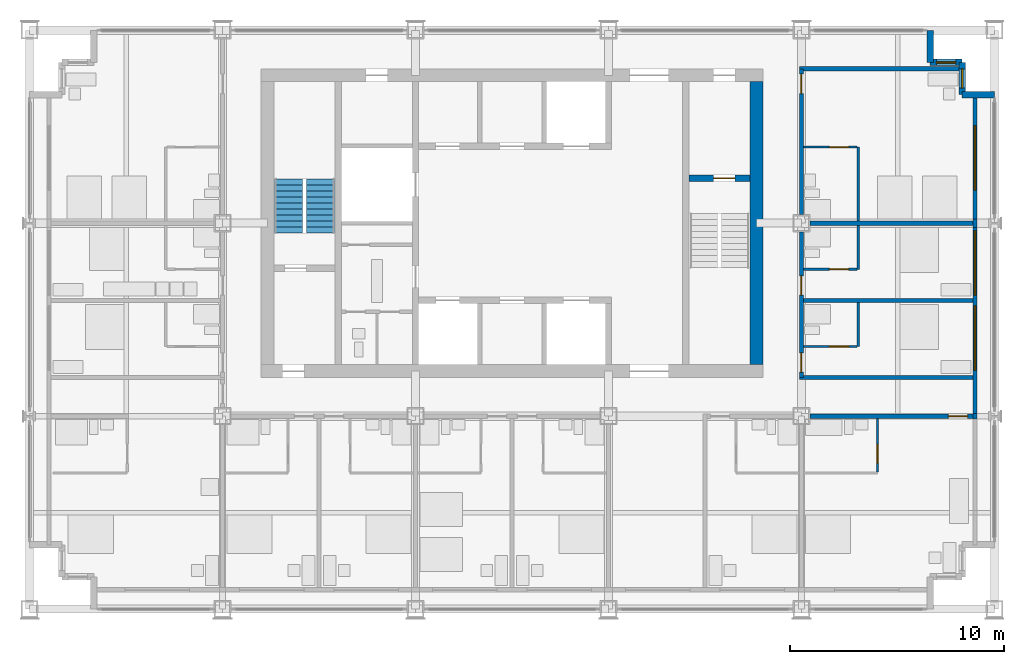
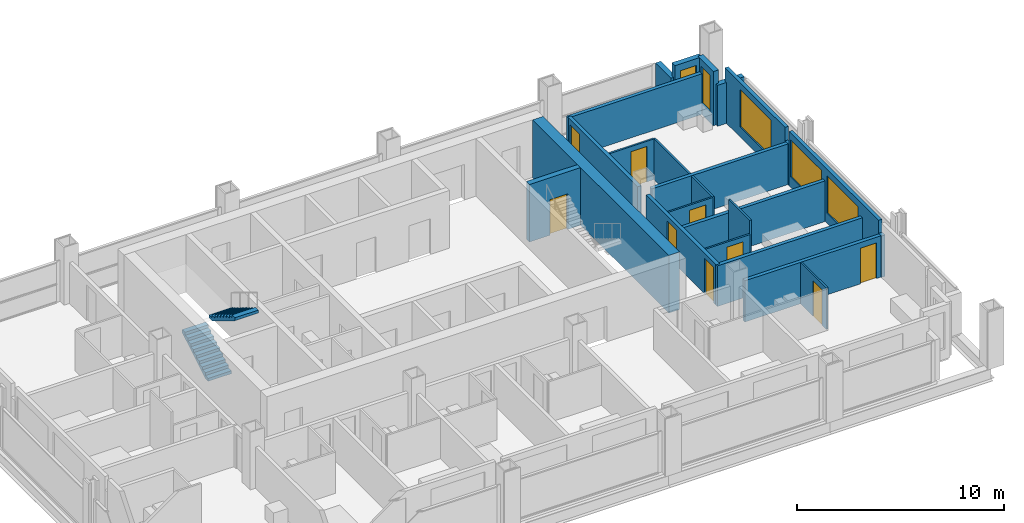
# One storey, part 10 of 14: 24 walls, 9 doors, 5 windows, 2 stair flights, 14 openings, 1 element without a shape of its own.
"""IFC4 building model written with IfcOpenShell, lengths in metres."""

from ifc_helpers import new_model, si_unit, direction, frame, frame_2d, origin, place, context, subcontext, project, spatial, polyline, rectangle, outline, extrude, material, layer, layer_set, type_object, element, fill, aggregate, save


model = new_model("IFC4")

# Units and contexts
model_context = context("Model", 3, precision=1e-05, world=origin(), true_north=direction((0.0, 1.0)))
body_context = subcontext(model_context, "Body", "Model", "MODEL_VIEW")
ifc_project = project(units=[si_unit("LENGTHUNIT", "METRE"), si_unit("AREAUNIT", "SQUARE_METRE"), si_unit("VOLUMEUNIT", "CUBIC_METRE"), si_unit("PLANEANGLEUNIT", "RADIAN"), si_unit("MASSUNIT", "GRAM", prefix="KILO")], contexts=[model_context])

# Site, building, storey
site_placement = place(None, origin())
site = spatial("IfcSite", under=ifc_project, at=site_placement, CompositionType="ELEMENT")
building_placement = place(site_placement, origin())
building = spatial("IfcBuilding", under=site, at=building_placement, Name="Loomwork Tower", CompositionType="ELEMENT")
storey_placement = place(building_placement, frame((0.0, 0.0, 170.60009765625)))
storey = spatial("IfcBuildingStorey", under=building, at=storey_placement, Name="L46", CompositionType="ELEMENT", Elevation=170.60009765625)

# Wall, opening, door
ifc_material_1 = material(Name="Concrete 14000 psi (97 MPa)", Category="concrete")
ifc_layer_1 = layer(ifc_material_1, 0.300048828125)
ifc_layer_set_1 = layer_set([ifc_layer_1], Name="Core shear wall 300")
wall_type_1 = type_object("IfcWallType", Name="Core shear wall 300", PredefinedType="SHEAR", material=ifc_layer_set_1)
wall_1_placement = place(storey_placement, frame((30.75, 20.10009765625, 0.0), z_axis=(0.0, 0.0, 1.0), x_axis=(1.0, 0.0, 0.0)))
wall_1 = element("IfcWall", 1, at=wall_1_placement, inside=storey, type_object=wall_type_1, Name="Stair B north wall L46", PredefinedType="SHEAR", context=body_context, shape_type="SweptSolid", body=[
    extrude(rectangle(XDim=2.85009765625, YDim=0.300048828125, at=frame_2d((1.425048828125, 0.0))), origin(), (0.0, 0.0, 1.0), 3.39990234375),
])
opening_1_placement = place(wall_1_placement, frame((1.14990234375, 0.0, 0.0)))
opening_1 = element("IfcOpeningElement", 2, at=opening_1_placement, cuts=wall_1, Name="Opening D4", PredefinedType="OPENING", context=body_context, shape_type="SweptSolid", body=[
    extrude(rectangle(XDim=1.0, YDim=2.10009765625, at=frame_2d((0.5, 1.050048828125))), frame((0.0, 0.159912109375, 0.0), z_axis=(0.0, -1.0, 0.0), x_axis=(1.0, 0.0, 0.0)), (0.0, 0.0, 1.0), 0.320068359375),
])
ifc_material_2 = material(Name="Hollow metal door and frame")
door_type_1 = type_object("IfcDoorType", Name="Stair door 1000", OperationType="SINGLE_SWING_RIGHT", PredefinedType="DOOR", material=ifc_material_2)
door_1_placement = place(opening_1_placement, frame((1.0, 0.0, 0.0), z_axis=(0.0, 0.0, 1.0), x_axis=(-1.0, 0.0, 0.0)))
door_1 = element("IfcDoor", 3, at=door_1_placement, inside=storey, type_object=door_type_1, Name="Stair B door", OperationType="SINGLE_SWING_LEFT", OverallHeight=2.10009765625, OverallWidth=1.0, PredefinedType="DOOR", context=body_context, shape_type="SweptSolid", body=[
    extrude(rectangle(XDim=1.0, YDim=2.10009765625, at=frame_2d((0.5, 1.050048828125))), frame((0.0, 0.02490234375, 0.0), z_axis=(0.0, -1.0, 0.0), x_axis=(1.0, 0.0, 0.0)), (0.0, 0.0, 1.0), 0.050048828125),
])
fill(opening_1, door_1)

# Wall
ifc_material_3 = material(Name="Concrete 14000 psi (97 MPa)", Category="concrete")
ifc_layer_2 = layer(ifc_material_3, 0.60009765625)
ifc_layer_set_2 = layer_set([ifc_layer_2], Name="Core shear wall 600")
wall_type_2 = type_object("IfcWallType", Name="Core shear wall 600", PredefinedType="SHEAR", material=ifc_layer_set_2)
wall_2_placement = place(storey_placement, frame((33.89990234375, 11.39990234375, 0.0), z_axis=(0.0, 0.0, 1.0), x_axis=(0.0, 1.0, 0.0)))
element("IfcWall", 4, at=wall_2_placement, inside=storey, type_object=wall_type_2, Name="Core wall east L46", PredefinedType="SHEAR", context=body_context, shape_type="SweptSolid", body=[
    extrude(rectangle(XDim=13.2001953125, YDim=0.60009765625, at=frame_2d((6.60009765625, 0.0))), origin(), (0.0, 0.0, 1.0), 3.39990234375),
])

# Wall, opening, door
ifc_material_4 = material(Name="Gypsum board on steel studs, one-hour", Category="steel")
ifc_layer_3 = layer(ifc_material_4, 0.199951171875)
ifc_layer_set_3 = layer_set([ifc_layer_3], Name="Corridor wall 200")
wall_type_3 = type_object("IfcWallType", Name="Corridor wall 200", PredefinedType="PARTITIONING", material=ifc_layer_set_3)
wall_3_placement = place(storey_placement, frame((36.39990234375, 9.0, 0.0), z_axis=(0.0, 0.0, 1.0), x_axis=(1.0, 0.0, 0.0)))
wall_3 = element("IfcWall", 5, at=wall_3_placement, inside=storey, type_object=wall_type_3, Name="South corridor wall 5", PredefinedType="PARTITIONING", context=body_context, shape_type="SweptSolid", body=[
    extrude(rectangle(XDim=7.60009765625, YDim=0.199951171875, at=frame_2d((3.800048828125, 0.0))), origin(), (0.0, 0.0, 1.0), 2.43798828125),
])
opening_2_placement = place(wall_3_placement, frame((6.449951171875, 0.0, 0.0)))
opening_2 = element("IfcOpeningElement", 6, at=opening_2_placement, cuts=wall_3, Name="Opening D1", PredefinedType="OPENING", context=body_context, shape_type="SweptSolid", body=[
    extrude(rectangle(XDim=0.89990234375, YDim=2.10009765625, at=frame_2d((0.449951171875, 1.050048828125))), frame((0.0, 0.10986328125, 0.0), z_axis=(0.0, -1.0, 0.0), x_axis=(1.0, 0.0, 0.0)), (0.0, 0.0, 1.0), 0.219970703125),
])
ifc_material_5 = material(Name="Hollow metal door and frame")
door_type_2 = type_object("IfcDoorType", Name="Guest room entry door 900", OperationType="SINGLE_SWING_LEFT", PredefinedType="DOOR", material=ifc_material_5)
door_2_placement = place(opening_2_placement, frame((0.89990234375, 0.0, 0.0), z_axis=(0.0, 0.0, 1.0), x_axis=(-1.0, 0.0, 0.0)))
door_2 = element("IfcDoor", 7, at=door_2_placement, inside=storey, type_object=door_type_2, Name="Guest room entry door L46 7", OperationType="SINGLE_SWING_LEFT", OverallHeight=2.10009765625, OverallWidth=0.89990234375, PredefinedType="DOOR", context=body_context, shape_type="SweptSolid", body=[
    extrude(rectangle(XDim=0.89990234375, YDim=2.10009765625, at=frame_2d((0.449951171875, 1.050048828125))), frame((0.0, 0.02490234375, 0.0), z_axis=(0.0, -1.0, 0.0), x_axis=(1.0, 0.0, 0.0)), (0.0, 0.0, 1.0), 0.050048828125),
])
fill(opening_2, door_2)

# Wall, openings, doors
wall_4_placement = place(storey_placement, frame((36.0, 10.800048828125, 0.0), z_axis=(0.0, 0.0, 1.0), x_axis=(0.0, 1.0, 0.0)))
wall_4 = element("IfcWall", 8, at=wall_4_placement, inside=storey, type_object=wall_type_3, Name="East corridor wall 1", PredefinedType="PARTITIONING", context=body_context, shape_type="SweptSolid", body=[
    extrude(rectangle(XDim=6.800048828125, YDim=0.199951171875, at=frame_2d((3.39990234375, 0.0))), origin(), (0.0, 0.0, 1.0), 2.40478515625),
])
opening_3_placement = place(wall_4_placement, frame((0.25, 0.0, 0.0)))
opening_3 = element("IfcOpeningElement", 9, at=opening_3_placement, cuts=wall_4, Name="Opening D1", PredefinedType="OPENING", context=body_context, shape_type="SweptSolid", body=[
    extrude(rectangle(XDim=0.89990234375, YDim=2.10009765625, at=frame_2d((0.449951171875, 1.050048828125))), frame((0.0, 0.10986328125, 0.0), z_axis=(0.0, -1.0, 0.0), x_axis=(1.0, 0.0, 0.0)), (0.0, 0.0, 1.0), 0.219970703125),
])
opening_4_placement = place(wall_4_placement, frame((3.85009765625, 0.0, 0.0)))
opening_4 = element("IfcOpeningElement", 10, at=opening_4_placement, cuts=wall_4, Name="Opening D1", PredefinedType="OPENING", context=body_context, shape_type="SweptSolid", body=[
    extrude(rectangle(XDim=0.89990234375, YDim=2.10009765625, at=frame_2d((0.449951171875, 1.050048828125))), frame((0.0, 0.10986328125, 0.0), z_axis=(0.0, -1.0, 0.0), x_axis=(1.0, 0.0, 0.0)), (0.0, 0.0, 1.0), 0.219970703125),
])
door_3_placement = place(opening_3_placement, frame((0.89990234375, 0.0, 0.0), z_axis=(0.0, 0.0, 1.0), x_axis=(-1.0, 0.0, 0.0)))
door_3 = element("IfcDoor", 11, at=door_3_placement, inside=storey, type_object=door_type_2, Name="Guest room entry door L46 11", OperationType="SINGLE_SWING_RIGHT", OverallHeight=2.10009765625, OverallWidth=0.89990234375, PredefinedType="DOOR", context=body_context, shape_type="SweptSolid", body=[
    extrude(rectangle(XDim=0.89990234375, YDim=2.10009765625, at=frame_2d((0.449951171875, 1.050048828125))), frame((0.0, 0.02490234375, 0.0), z_axis=(0.0, -1.0, 0.0), x_axis=(1.0, 0.0, 0.0)), (0.0, 0.0, 1.0), 0.050048828125),
])
fill(opening_3, door_3)
door_4_placement = place(opening_4_placement, frame((0.89990234375, 0.0, 0.0), z_axis=(0.0, 0.0, 1.0), x_axis=(-1.0, 0.0, 0.0)))
door_4 = element("IfcDoor", 12, at=door_4_placement, inside=storey, type_object=door_type_2, Name="Guest room entry door L46 12", OperationType="SINGLE_SWING_RIGHT", OverallHeight=2.10009765625, OverallWidth=0.89990234375, PredefinedType="DOOR", context=body_context, shape_type="SweptSolid", body=[
    extrude(rectangle(XDim=0.89990234375, YDim=2.10009765625, at=frame_2d((0.449951171875, 1.050048828125))), frame((0.0, 0.02490234375, 0.0), z_axis=(0.0, -1.0, 0.0), x_axis=(1.0, 0.0, 0.0)), (0.0, 0.0, 1.0), 0.050048828125),
])
fill(opening_4, door_4)

# Wall, opening, door
wall_5_placement = place(storey_placement, frame((36.0, 18.39990234375, 0.0), z_axis=(0.0, 0.0, 1.0), x_axis=(0.0, 1.0, 0.0)))
wall_5 = element("IfcWall", 13, at=wall_5_placement, inside=storey, type_object=wall_type_3, Name="East corridor wall 2", PredefinedType="PARTITIONING", context=body_context, shape_type="SweptSolid", body=[
    extrude(rectangle(XDim=6.800048828125, YDim=0.199951171875, at=frame_2d((3.39990234375, 0.0))), origin(), (0.0, 0.0, 1.0), 2.40478515625),
])
opening_5_placement = place(wall_5_placement, frame((5.64990234375, 0.0, 0.0)))
opening_5 = element("IfcOpeningElement", 14, at=opening_5_placement, cuts=wall_5, Name="Opening D1", PredefinedType="OPENING", context=body_context, shape_type="SweptSolid", body=[
    extrude(rectangle(XDim=0.89990234375, YDim=2.10009765625, at=frame_2d((0.449951171875, 1.050048828125))), frame((0.0, 0.10986328125, 0.0), z_axis=(0.0, -1.0, 0.0), x_axis=(1.0, 0.0, 0.0)), (0.0, 0.0, 1.0), 0.219970703125),
])
door_5_placement = place(opening_5_placement, frame((0.89990234375, 0.0, 0.0), z_axis=(0.0, 0.0, 1.0), x_axis=(-1.0, 0.0, 0.0)))
door_5 = element("IfcDoor", 15, at=door_5_placement, inside=storey, type_object=door_type_2, Name="Guest room entry door L46 13", OperationType="SINGLE_SWING_LEFT", OverallHeight=2.10009765625, OverallWidth=0.89990234375, PredefinedType="DOOR", context=body_context, shape_type="SweptSolid", body=[
    extrude(rectangle(XDim=0.89990234375, YDim=2.10009765625, at=frame_2d((0.449951171875, 1.050048828125))), frame((0.0, 0.02490234375, 0.0), z_axis=(0.0, -1.0, 0.0), x_axis=(1.0, 0.0, 0.0)), (0.0, 0.0, 1.0), 0.050048828125),
])
fill(opening_5, door_5)

# Walls
wall_6_placement = place(storey_placement, frame((35.89990234375, 10.800048828125, 0.0), z_axis=(0.0, 0.0, 1.0), x_axis=(1.0, 0.0, 0.0)))
element("IfcWall", 16, at=wall_6_placement, inside=storey, type_object=wall_type_3, Name="East band end wall S", PredefinedType="PARTITIONING", context=body_context, shape_type="SweptSolid", body=[
    extrude(rectangle(XDim=8.10009765625, YDim=0.199951171875, at=frame_2d((4.050048828125, 0.0))), origin(), (0.0, 0.0, 1.0), 2.40380859375),
])
wall_7_placement = place(storey_placement, frame((35.89990234375, 25.199951171875, 0.0), z_axis=(0.0, 0.0, 1.0), x_axis=(1.0, 0.0, 0.0)))
element("IfcWall", 17, at=wall_7_placement, inside=storey, type_object=wall_type_3, Name="East band end wall N", PredefinedType="PARTITIONING", context=body_context, shape_type="SweptSolid", body=[
    extrude(rectangle(XDim=7.4501953125, YDim=0.199951171875, at=frame_2d((3.72509765625, 0.0))), origin(), (0.0, 0.0, 1.0), 2.40380859375),
])

# Wall, opening, door
ifc_material_6 = material(Name="Cement board on steel studs", Category="steel")
ifc_layer_4 = layer(ifc_material_6, 0.10009765625)
ifc_layer_set_4 = layer_set([ifc_layer_4], Name="En-suite partition 100")
wall_type_4 = type_object("IfcWallType", Name="En-suite partition 100", PredefinedType="PARTITIONING", material=ifc_layer_set_4)
wall_8_placement = place(storey_placement, frame((39.550048828125, 8.89990234375, 0.0), z_axis=(0.0, 0.0, 1.0), x_axis=(0.0, -1.0, 0.0)))
wall_8 = element("IfcWall", 18, at=wall_8_placement, inside=storey, type_object=wall_type_4, Name="En-suite side wall L46 room 7", PredefinedType="PARTITIONING", context=body_context, shape_type="SweptSolid", body=[
    extrude(rectangle(XDim=2.5, YDim=0.10009765625, at=frame_2d((1.25, 0.0))), origin(), (0.0, 0.0, 1.0), 2.43798828125),
])
opening_6_placement = place(wall_8_placement, frame((1.199951171875, 0.0, 0.0)))
opening_6 = element("IfcOpeningElement", 19, at=opening_6_placement, cuts=wall_8, Name="Opening D2", PredefinedType="OPENING", context=body_context, shape_type="SweptSolid", body=[
    extrude(rectangle(XDim=0.89990234375, YDim=2.10009765625, at=frame_2d((0.449951171875, 1.050048828125))), frame((0.0, 0.06005859375, 0.0), z_axis=(0.0, -1.0, 0.0), x_axis=(1.0, 0.0, 0.0)), (0.0, 0.0, 1.0), 0.1201171875),
])
ifc_material_7 = material(Name="Hollow metal door and frame")
door_type_3 = type_object("IfcDoorType", Name="En-suite door 900", OperationType="SINGLE_SWING_LEFT", PredefinedType="DOOR", material=ifc_material_7)
door_6_placement = place(opening_6_placement, frame((0.89990234375, 0.0, 0.0), z_axis=(0.0, 0.0, 1.0), x_axis=(-1.0, 0.0, 0.0)))
door_6 = element("IfcDoor", 20, at=door_6_placement, inside=storey, type_object=door_type_3, Name="En-suite door room 7", OperationType="SINGLE_SWING_LEFT", OverallHeight=2.10009765625, OverallWidth=0.89990234375, PredefinedType="DOOR", context=body_context, shape_type="SweptSolid", body=[
    extrude(rectangle(XDim=0.89990234375, YDim=2.10009765625, at=frame_2d((0.449951171875, 1.050048828125))), frame((0.0, 0.02490234375, 0.0), z_axis=(0.0, -1.0, 0.0), x_axis=(1.0, 0.0, 0.0)), (0.0, 0.0, 1.0), 0.050048828125),
])
fill(opening_6, door_6)

# Wall
wall_9_placement = place(storey_placement, frame((38.64990234375, 12.25, 0.0), z_axis=(0.0, 0.0, 1.0), x_axis=(0.0, 1.0, 0.0)))
element("IfcWall", 21, at=wall_9_placement, inside=storey, type_object=wall_type_4, Name="En-suite wall L46 room 11", PredefinedType="PARTITIONING", context=body_context, shape_type="SweptSolid", body=[
    extrude(rectangle(XDim=2.050048828125, YDim=0.10009765625, at=frame_2d((1.02490234375, 0.0))), origin(), (0.0, 0.0, 1.0), 3.199951171875),
])

# Wall, opening, door
wall_10_placement = place(storey_placement, frame((36.10009765625, 12.25, 0.0), z_axis=(0.0, 0.0, 1.0), x_axis=(1.0, 0.0, 0.0)))
wall_10 = element("IfcWall", 22, at=wall_10_placement, inside=storey, type_object=wall_type_4, Name="En-suite side wall L46 room 11", PredefinedType="PARTITIONING", context=body_context, shape_type="SweptSolid", body=[
    extrude(rectangle(XDim=2.5, YDim=0.10009765625, at=frame_2d((1.25, 0.0))), origin(), (0.0, 0.0, 1.0), 2.40380859375),
])
opening_7_placement = place(wall_10_placement, frame((1.199951171875, 0.0, 0.0)))
opening_7 = element("IfcOpeningElement", 23, at=opening_7_placement, cuts=wall_10, Name="Opening D2", PredefinedType="OPENING", context=body_context, shape_type="SweptSolid", body=[
    extrude(rectangle(XDim=0.89990234375, YDim=2.10009765625, at=frame_2d((0.449951171875, 1.050048828125))), frame((0.0, 0.06005859375, 0.0), z_axis=(0.0, -1.0, 0.0), x_axis=(1.0, 0.0, 0.0)), (0.0, 0.0, 1.0), 0.1201171875),
])
door_7_placement = place(opening_7_placement, origin())
door_7 = element("IfcDoor", 24, at=door_7_placement, inside=storey, type_object=door_type_3, Name="En-suite door room 11", OperationType="SINGLE_SWING_RIGHT", OverallHeight=2.10009765625, OverallWidth=0.89990234375, PredefinedType="DOOR", context=body_context, shape_type="SweptSolid", body=[
    extrude(rectangle(XDim=0.89990234375, YDim=2.10009765625, at=frame_2d((0.449951171875, 1.050048828125))), frame((0.0, 0.02490234375, 0.0), z_axis=(0.0, -1.0, 0.0), x_axis=(1.0, 0.0, 0.0)), (0.0, 0.0, 1.0), 0.050048828125),
])
fill(opening_7, door_7)

# Wall
wall_11_placement = place(storey_placement, frame((38.64990234375, 15.85009765625, 0.0), z_axis=(0.0, 0.0, 1.0), x_axis=(0.0, 1.0, 0.0)))
element("IfcWall", 25, at=wall_11_placement, inside=storey, type_object=wall_type_4, Name="En-suite wall L46 room 12", PredefinedType="PARTITIONING", context=body_context, shape_type="SweptSolid", body=[
    extrude(rectangle(XDim=2.0498046875, YDim=0.10009765625, at=frame_2d((1.02490234375, 0.0))), origin(), (0.0, 0.0, 1.0), 2.40380859375),
])

# Wall, opening, door
wall_12_placement = place(storey_placement, frame((36.10009765625, 15.85009765625, 0.0), z_axis=(0.0, 0.0, 1.0), x_axis=(1.0, 0.0, 0.0)))
wall_12 = element("IfcWall", 26, at=wall_12_placement, inside=storey, type_object=wall_type_4, Name="En-suite side wall L46 room 12", PredefinedType="PARTITIONING", context=body_context, shape_type="SweptSolid", body=[
    extrude(rectangle(XDim=2.5, YDim=0.10009765625, at=frame_2d((1.25, 0.0))), origin(), (0.0, 0.0, 1.0), 2.40380859375),
])
opening_8_placement = place(wall_12_placement, frame((1.199951171875, 0.0, 0.0)))
opening_8 = element("IfcOpeningElement", 27, at=opening_8_placement, cuts=wall_12, Name="Opening D3", PredefinedType="OPENING", context=body_context, shape_type="SweptSolid", body=[
    extrude(rectangle(XDim=0.89990234375, YDim=2.10009765625, at=frame_2d((0.449951171875, 1.050048828125))), frame((0.0, 0.06005859375, 0.0), z_axis=(0.0, -1.0, 0.0), x_axis=(1.0, 0.0, 0.0)), (0.0, 0.0, 1.0), 0.1201171875),
])
ifc_material_8 = material(Name="Hollow metal door and frame")
door_type_4 = type_object("IfcDoorType", Name="Accessible en-suite door 900", OperationType="SLIDING_TO_LEFT", PredefinedType="DOOR", material=ifc_material_8)
door_8_placement = place(opening_8_placement, origin())
door_8 = element("IfcDoor", 28, at=door_8_placement, inside=storey, type_object=door_type_4, Name="Accessible en-suite door room 12", OperationType="SLIDING_TO_LEFT", OverallHeight=2.10009765625, OverallWidth=0.89990234375, PredefinedType="DOOR", context=body_context, shape_type="SweptSolid", body=[
    extrude(rectangle(XDim=0.89990234375, YDim=2.10009765625, at=frame_2d((0.449951171875, 1.050048828125))), frame((0.0, 0.02490234375, 0.0), z_axis=(0.0, -1.0, 0.0), x_axis=(1.0, 0.0, 0.0)), (0.0, 0.0, 1.0), 0.050048828125),
])
fill(opening_8, door_8)

# Wall
wall_13_placement = place(storey_placement, frame((38.64990234375, 18.10009765625, 0.0), z_axis=(0.0, 0.0, 1.0), x_axis=(0.0, 1.0, 0.0)))
element("IfcWall", 29, at=wall_13_placement, inside=storey, type_object=wall_type_4, Name="En-suite wall L46 room 13", PredefinedType="PARTITIONING", context=body_context, shape_type="SweptSolid", body=[
    extrude(rectangle(XDim=3.449951171875, YDim=0.10009765625, at=frame_2d((1.72509765625, 0.0))), origin(), (0.0, 0.0, 1.0), 2.40380859375),
])

# Wall, opening, door
wall_14_placement = place(storey_placement, frame((36.10009765625, 21.550048828125, 0.0), z_axis=(0.0, 0.0, 1.0), x_axis=(1.0, 0.0, 0.0)))
wall_14 = element("IfcWall", 30, at=wall_14_placement, inside=storey, type_object=wall_type_4, Name="En-suite side wall L46 room 13", PredefinedType="PARTITIONING", context=body_context, shape_type="SweptSolid", body=[
    extrude(rectangle(XDim=2.5, YDim=0.10009765625, at=frame_2d((1.25, 0.0))), origin(), (0.0, 0.0, 1.0), 2.40380859375),
])
opening_9_placement = place(wall_14_placement, frame((1.199951171875, 0.0, 0.0)))
opening_9 = element("IfcOpeningElement", 31, at=opening_9_placement, cuts=wall_14, Name="Opening D2", PredefinedType="OPENING", context=body_context, shape_type="SweptSolid", body=[
    extrude(rectangle(XDim=0.89990234375, YDim=2.10009765625, at=frame_2d((0.449951171875, 1.050048828125))), frame((0.0, 0.06005859375, 0.0), z_axis=(0.0, -1.0, 0.0), x_axis=(1.0, 0.0, 0.0)), (0.0, 0.0, 1.0), 0.1201171875),
])
door_9_placement = place(opening_9_placement, frame((0.89990234375, 0.0, 0.0), z_axis=(0.0, 0.0, 1.0), x_axis=(-1.0, 0.0, 0.0)))
door_9 = element("IfcDoor", 32, at=door_9_placement, inside=storey, type_object=door_type_3, Name="En-suite door room 13", OperationType="SINGLE_SWING_LEFT", OverallHeight=2.10009765625, OverallWidth=0.89990234375, PredefinedType="DOOR", context=body_context, shape_type="SweptSolid", body=[
    extrude(rectangle(XDim=0.89990234375, YDim=2.10009765625, at=frame_2d((0.449951171875, 1.050048828125))), frame((0.0, 0.02490234375, 0.0), z_axis=(0.0, -1.0, 0.0), x_axis=(1.0, 0.0, 0.0)), (0.0, 0.0, 1.0), 0.050048828125),
])
fill(opening_9, door_9)

# Walls
ifc_material_9 = material(Name="Gypsum board on steel studs, acoustic", Category="steel")
ifc_layer_5 = layer(ifc_material_9, 0.199951171875)
ifc_layer_set_5 = layer_set([ifc_layer_5], Name="Guest room party wall 200")
wall_type_5 = type_object("IfcWallType", Name="Guest room party wall 200", PredefinedType="PARTITIONING", material=ifc_layer_set_5)
wall_15_placement = place(storey_placement, frame((36.10009765625, 14.39990234375, 0.0), z_axis=(0.0, 0.0, 1.0), x_axis=(1.0, 0.0, 0.0)))
element("IfcWall", 33, at=wall_15_placement, inside=storey, type_object=wall_type_5, Name="Guest room party wall E 14.4", PredefinedType="PARTITIONING", context=body_context, shape_type="SweptSolid", body=[
    extrude(rectangle(XDim=7.89990234375, YDim=0.199951171875, at=frame_2d((3.949951171875, 0.0))), origin(), (0.0, 0.0, 1.0), 2.40380859375),
])
wall_16_placement = place(storey_placement, frame((36.39990234375, 18.0, 0.0), z_axis=(0.0, 0.0, 1.0), x_axis=(1.0, 0.0, 0.0)))
element("IfcWall", 34, at=wall_16_placement, inside=storey, type_object=wall_type_5, Name="Guest room party wall E 18", PredefinedType="PARTITIONING", context=body_context, shape_type="SweptSolid", body=[
    extrude(rectangle(XDim=7.60009765625, YDim=0.199951171875, at=frame_2d((3.800048828125, 0.0))), origin(), (0.0, 0.0, 1.0), 2.40478515625),
])
ifc_material_10 = material(Name="Insulated steel stud wall with gypsum lining", Category="steel")
ifc_layer_6 = layer(ifc_material_10, 0.199951171875)
ifc_layer_set_6 = layer_set([ifc_layer_6], Name="Inner skin wall 200")
wall_type_6 = type_object("IfcWallType", Name="Inner skin wall 200", PredefinedType="SOLIDWALL", material=ifc_layer_set_6)
wall_17_placement = place(storey_placement, frame((44.10009765625, 8.86474609375, 0.0), z_axis=(0.0, 0.0, 1.0), x_axis=(0.0, 1.0, 0.0)))
element("IfcWall", 35, at=wall_17_placement, inside=storey, type_object=wall_type_6, Name="Inner skin wall E bay 4", PredefinedType="SOLIDWALL", context=body_context, shape_type="SweptSolid", body=[
    extrude(rectangle(XDim=0.2705078125, YDim=0.199951171875, at=frame_2d((0.13525390625, 0.0))), origin(), (0.0, 0.0, 1.0), 2.43798828125),
])

# Wall, openings, windows
wall_18_placement = place(storey_placement, frame((44.10009765625, 9.13525390625, 0.0), z_axis=(0.0, 0.0, 1.0), x_axis=(0.0, 1.0, 0.0)))
wall_18 = element("IfcWall", 36, at=wall_18_placement, inside=storey, type_object=wall_type_6, Name="Inner skin wall E bay 5", PredefinedType="SOLIDWALL", context=body_context, shape_type="SweptSolid", body=[
    extrude(rectangle(XDim=8.6708984375, YDim=0.199951171875, at=frame_2d((4.33544921875, 0.0))), origin(), (0.0, 0.0, 1.0), 3.199951171875),
])
opening_10_placement = place(wall_18_placement, frame((2.0146484375, 0.0, 0.60009765625)))
opening_10 = element("IfcOpeningElement", 37, at=opening_10_placement, cuts=wall_18, Name="Opening CH1", PredefinedType="OPENING", context=body_context, shape_type="SweptSolid", body=[
    extrude(rectangle(XDim=3.0, YDim=2.199951171875, at=frame_2d((1.5, 1.10009765625))), frame((0.0, 0.10986328125, 0.0), z_axis=(0.0, -1.0, 0.0), x_axis=(1.0, 0.0, 0.0)), (0.0, 0.0, 1.0), 0.219970703125),
])
opening_11_placement = place(wall_18_placement, frame((5.5146484375, 0.0, 0.60009765625)))
opening_11 = element("IfcOpeningElement", 38, at=opening_11_placement, cuts=wall_18, Name="Opening CH1", PredefinedType="OPENING", context=body_context, shape_type="SweptSolid", body=[
    extrude(rectangle(XDim=3.0, YDim=2.199951171875, at=frame_2d((1.5, 1.10009765625))), frame((0.0, 0.10986328125, 0.0), z_axis=(0.0, -1.0, 0.0), x_axis=(1.0, 0.0, 0.0)), (0.0, 0.0, 1.0), 0.219970703125),
])
ifc_material_11 = material(Name="Aluminium frame with clear insulated glass", Category="aluminium")
window_type_1 = type_object("IfcWindowType", Name="Chicago window 3000", PartitioningType="TRIPLE_PANEL_VERTICAL", PredefinedType="WINDOW", material=ifc_material_11)
window_1_placement = place(opening_10_placement, origin())
window_1 = element("IfcWindow", 39, at=window_1_placement, inside=storey, type_object=window_type_1, Name="Chicago window L46 bay 8", OverallHeight=2.199951171875, OverallWidth=3.0, PartitioningType="TRIPLE_PANEL_VERTICAL", PredefinedType="WINDOW", context=body_context, shape_type="SweptSolid", body=[
    extrude(rectangle(XDim=3.0, YDim=2.199951171875, at=frame_2d((1.5, 1.10009765625))), frame((0.0, 0.030029296875, 0.0), z_axis=(0.0, -1.0, 0.0), x_axis=(1.0, 0.0, 0.0)), (0.0, 0.0, 1.0), 0.06005859375),
])
fill(opening_10, window_1)
window_2_placement = place(opening_11_placement, origin())
window_2 = element("IfcWindow", 40, at=window_2_placement, inside=storey, type_object=window_type_1, Name="Chicago window L46 bay 8", OverallHeight=2.199951171875, OverallWidth=3.0, PartitioningType="TRIPLE_PANEL_VERTICAL", PredefinedType="WINDOW", context=body_context, shape_type="SweptSolid", body=[
    extrude(rectangle(XDim=3.0, YDim=2.199951171875, at=frame_2d((1.5, 1.10009765625))), frame((0.0, 0.030029296875, 0.0), z_axis=(0.0, -1.0, 0.0), x_axis=(1.0, 0.0, 0.0)), (0.0, 0.0, 1.0), 0.06005859375),
])
fill(opening_11, window_2)

# Wall
wall_19_placement = place(storey_placement, frame((44.10009765625, 17.80615234375, 0.0), z_axis=(0.0, 0.0, 1.0), x_axis=(0.0, 1.0, 0.0)))
element("IfcWall", 41, at=wall_19_placement, inside=storey, type_object=wall_type_6, Name="Inner skin wall E bay 6", PredefinedType="SOLIDWALL", context=body_context, shape_type="SweptSolid", body=[
    extrude(rectangle(XDim=0.3876953125, YDim=0.199951171875, at=frame_2d((0.19384765625, 0.0))), origin(), (0.0, 0.0, 1.0), 2.40380859375),
])

# Wall, opening, window
wall_20_placement = place(storey_placement, frame((44.10009765625, 18.19384765625, 0.0), z_axis=(0.0, 0.0, 1.0), x_axis=(0.0, 1.0, 0.0)))
wall_20 = element("IfcWall", 42, at=wall_20_placement, inside=storey, type_object=wall_type_6, Name="Inner skin wall E bay 7", PredefinedType="SOLIDWALL", context=body_context, shape_type="SweptSolid", body=[
    extrude(rectangle(XDim=5.80615234375, YDim=0.199951171875, at=frame_2d((2.903076171875, 0.0))), origin(), (0.0, 0.0, 1.0), 3.199951171875),
])
opening_12_placement = place(wall_20_placement, frame((1.356201171875, 0.0, 0.60009765625)))
opening_12 = element("IfcOpeningElement", 43, at=opening_12_placement, cuts=wall_20, Name="Opening CH1", PredefinedType="OPENING", context=body_context, shape_type="SweptSolid", body=[
    extrude(rectangle(XDim=3.0, YDim=2.199951171875, at=frame_2d((1.5, 1.10009765625))), frame((0.0, 0.10986328125, 0.0), z_axis=(0.0, -1.0, 0.0), x_axis=(1.0, 0.0, 0.0)), (0.0, 0.0, 1.0), 0.219970703125),
])
window_3_placement = place(opening_12_placement, origin())
window_3 = element("IfcWindow", 44, at=window_3_placement, inside=storey, type_object=window_type_1, Name="Chicago window L46 bay 9", OverallHeight=2.199951171875, OverallWidth=3.0, PartitioningType="TRIPLE_PANEL_VERTICAL", PredefinedType="WINDOW", context=body_context, shape_type="SweptSolid", body=[
    extrude(rectangle(XDim=3.0, YDim=2.199951171875, at=frame_2d((1.5, 1.10009765625))), frame((0.0, 0.030029296875, 0.0), z_axis=(0.0, -1.0, 0.0), x_axis=(1.0, 0.0, 0.0)), (0.0, 0.0, 1.0), 0.06005859375),
])
fill(opening_12, window_3)

# Wall
ifc_material_12 = material(Name="Limestone on concrete masonry", Category="masonry")
ifc_layer_7 = layer(ifc_material_12, 0.300048828125)
ifc_layer_set_7 = layer_set([ifc_layer_7], Name="Limestone corner wall 300")
wall_type_7 = type_object("IfcWallType", Name="Limestone corner wall 300", PredefinedType="SOLIDWALL", material=ifc_layer_set_7)
wall_21_placement = place(storey_placement, frame((45.0, 24.0, 0.0), z_axis=(0.0, 0.0, 1.0), x_axis=(-1.0, 0.0, 0.0)))
element("IfcWall", 45, at=wall_21_placement, inside=storey, type_object=wall_type_7, Name="Stone corner wall NE 1", PredefinedType="SOLIDWALL", context=body_context, shape_type="SweptSolid", body=[
    extrude(rectangle(XDim=1.5, YDim=0.300048828125, at=frame_2d((0.75, 0.0))), origin(), (0.0, 0.0, 1.0), 2.419921875),
])

# Wall, opening, window
wall_22_placement = place(storey_placement, frame((43.5, 24.0, 0.0), z_axis=(0.0, 0.0, 1.0), x_axis=(0.0, 1.0, 0.0)))
wall_22 = element("IfcWall", 46, at=wall_22_placement, inside=storey, type_object=wall_type_7, Name="Stone corner wall NE 2", PredefinedType="SOLIDWALL", context=body_context, shape_type="SweptSolid", body=[
    extrude(rectangle(XDim=1.5, YDim=0.300048828125, at=frame_2d((0.75, 0.0))), origin(), (0.0, 0.0, 1.0), 3.199951171875),
])
opening_13_placement = place(wall_22_placement, frame((0.300048828125, 0.0, 0.60009765625)))
opening_13 = element("IfcOpeningElement", 47, at=opening_13_placement, cuts=wall_22, Name="Opening CH2", PredefinedType="OPENING", context=body_context, shape_type="SweptSolid", body=[
    extrude(rectangle(XDim=0.89990234375, YDim=2.199951171875, at=frame_2d((0.449951171875, 1.10009765625))), frame((0.0, 0.159912109375, 0.0), z_axis=(0.0, -1.0, 0.0), x_axis=(1.0, 0.0, 0.0)), (0.0, 0.0, 1.0), 0.320068359375),
])
ifc_material_13 = material(Name="Aluminium frame with clear insulated glass", Category="aluminium")
window_type_2 = type_object("IfcWindowType", Name="Corner window 900", PartitioningType="SINGLE_PANEL", PredefinedType="WINDOW", material=ifc_material_13)
window_4_placement = place(opening_13_placement, origin())
window_4 = element("IfcWindow", 48, at=window_4_placement, inside=storey, type_object=window_type_2, Name="Corner window NE", OverallHeight=2.199951171875, OverallWidth=0.89990234375, PartitioningType="SINGLE_PANEL", PredefinedType="WINDOW", context=body_context, shape_type="SweptSolid", body=[
    extrude(rectangle(XDim=0.89990234375, YDim=2.199951171875, at=frame_2d((0.449951171875, 1.10009765625))), frame((0.0, 0.030029296875, 0.0), z_axis=(0.0, -1.0, 0.0), x_axis=(1.0, 0.0, 0.0)), (0.0, 0.0, 1.0), 0.06005859375),
])
fill(opening_13, window_4)

wall_23_placement = place(storey_placement, frame((43.5, 25.5, 0.0), z_axis=(0.0, 0.0, 1.0), x_axis=(-1.0, 0.0, 0.0)))
wall_23 = element("IfcWall", 49, at=wall_23_placement, inside=storey, type_object=wall_type_7, Name="Stone corner wall NE 3", PredefinedType="SOLIDWALL", context=body_context, shape_type="SweptSolid", body=[
    extrude(rectangle(XDim=1.5, YDim=0.300048828125, at=frame_2d((0.75, 0.0))), origin(), (0.0, 0.0, 1.0), 3.199951171875),
])
opening_14_placement = place(wall_23_placement, frame((0.300048828125, 0.0, 0.60009765625)))
opening_14 = element("IfcOpeningElement", 50, at=opening_14_placement, cuts=wall_23, Name="Opening CH2", PredefinedType="OPENING", context=body_context, shape_type="SweptSolid", body=[
    extrude(rectangle(XDim=0.89990234375, YDim=2.199951171875, at=frame_2d((0.449951171875, 1.10009765625))), frame((0.0, 0.159912109375, 0.0), z_axis=(0.0, -1.0, 0.0), x_axis=(1.0, 0.0, 0.0)), (0.0, 0.0, 1.0), 0.320068359375),
])
window_5_placement = place(opening_14_placement, origin())
window_5 = element("IfcWindow", 51, at=window_5_placement, inside=storey, type_object=window_type_2, Name="Corner window NE", OverallHeight=2.199951171875, OverallWidth=0.89990234375, PartitioningType="SINGLE_PANEL", PredefinedType="WINDOW", context=body_context, shape_type="SweptSolid", body=[
    extrude(rectangle(XDim=0.89990234375, YDim=2.199951171875, at=frame_2d((0.449951171875, 1.10009765625))), frame((0.0, 0.030029296875, 0.0), z_axis=(0.0, -1.0, 0.0), x_axis=(1.0, 0.0, 0.0)), (0.0, 0.0, 1.0), 0.06005859375),
])
fill(opening_14, window_5)

# Wall
wall_24_placement = place(storey_placement, frame((42.0, 25.5, 0.0), z_axis=(0.0, 0.0, 1.0), x_axis=(0.0, 1.0, 0.0)))
element("IfcWall", 52, at=wall_24_placement, inside=storey, type_object=wall_type_7, Name="Stone corner wall NE 4", PredefinedType="SOLIDWALL", context=body_context, shape_type="SweptSolid", body=[
    extrude(rectangle(XDim=1.5, YDim=0.300048828125, at=frame_2d((0.75, 0.0))), origin(), (0.0, 0.0, 1.0), 2.419921875),
])

# Stair, stair flights
ifc_material_14 = material(Name="Concrete 5000 psi (34 MPa) precast stair", Category="concrete")
stair_type = type_object("IfcStairType", Name="Stair ST-A 20 risers 2850 wide", PredefinedType="HALF_TURN_STAIR", material=ifc_material_14)
stair_placement = place(storey_placement, origin())
stair = element("IfcStair", 53, at=stair_placement, inside=storey, type_object=stair_type, Name="Stair A L46", PredefinedType="HALF_TURN_STAIR")
ifc_material_15 = material(Name="Concrete 5000 psi (34 MPa) precast stair", Category="concrete")
stair_flight_type = type_object("IfcStairFlightType", Name="Stair flight ST-A 10 risers 1300 wide", PredefinedType="STRAIGHT", material=ifc_material_15)
stair_flight_1_placement = place(storey_placement, frame((12.074951171875, 17.550048828125, 0.0), z_axis=(0.0, 0.0, 1.0), x_axis=(0.0, 1.0, 0.0)))
stair_flight_1 = element("IfcStairFlight", 54, at=stair_flight_1_placement, type_object=stair_flight_type, Name="ST-A flight 1", NumberOfRisers=10, NumberOfTreads=9, PredefinedType="STRAIGHT", RiserHeight=0.17, TreadLength=0.28, context=body_context, shape_type="SweptSolid", body=[
    extrude(outline(polyline([(0.0, 0.0), (0.0, 0.169921875), (0.280029296875, 0.169921875), (0.280029296875, 0.340087890625), (0.56005859375, 0.340087890625), (0.56005859375, 0.510009765625), (0.840087890625, 0.510009765625), (0.840087890625, 0.679931640625), (1.1201171875, 0.679931640625), (1.1201171875, 0.85009765625), (1.39990234375, 0.85009765625), (1.39990234375, 1.02001953125), (1.679931640625, 1.02001953125), (1.679931640625, 1.18994140625), (1.9599609375, 1.18994140625), (1.9599609375, 1.360107421875), (2.239990234375, 1.360107421875), (2.239990234375, 1.530029296875), (2.52001953125, 1.530029296875), (2.52001953125, 1.699951171875), (2.52001953125, 1.354736328125), (0.288818359375, 0.0), (0.0, 0.0)])), frame((0.0, 0.64990234375, 0.0), z_axis=(0.0, -1.0, 0.0), x_axis=(1.0, 0.0, 0.0)), (0.0, 0.0, 1.0), 1.300048828125),
])
stair_flight_2_placement = place(storey_placement, frame((13.574951171875, 20.070068359375, 1.699951171875), z_axis=(0.0, 0.0, 1.0), x_axis=(0.0, -1.0, 0.0)))
stair_flight_2 = element("IfcStairFlight", 55, at=stair_flight_2_placement, type_object=stair_flight_type, Name="ST-A flight 2", NumberOfRisers=10, NumberOfTreads=9, PredefinedType="STRAIGHT", RiserHeight=0.17, TreadLength=0.28, context=body_context, shape_type="SweptSolid", body=[
    extrude(outline(polyline([(0.0, 0.0), (0.0, 0.169921875), (0.280029296875, 0.169921875), (0.280029296875, 0.340087890625), (0.56005859375, 0.340087890625), (0.56005859375, 0.510009765625), (0.840087890625, 0.510009765625), (0.840087890625, 0.679931640625), (1.1201171875, 0.679931640625), (1.1201171875, 0.85009765625), (1.39990234375, 0.85009765625), (1.39990234375, 1.02001953125), (1.679931640625, 1.02001953125), (1.679931640625, 1.18994140625), (1.9599609375, 1.18994140625), (1.9599609375, 1.360107421875), (2.239990234375, 1.360107421875), (2.239990234375, 1.530029296875), (2.52001953125, 1.530029296875), (2.52001953125, 1.699951171875), (2.52001953125, 1.354736328125), (0.288818359375, 0.0), (0.0, 0.0)])), frame((0.0, 0.64990234375, 0.0), z_axis=(0.0, -1.0, 0.0), x_axis=(1.0, 0.0, 0.0)), (0.0, 0.0, 1.0), 1.300048828125),
])
aggregate(stair, [stair_flight_1, stair_flight_2])

save(model, "model.ifc")
